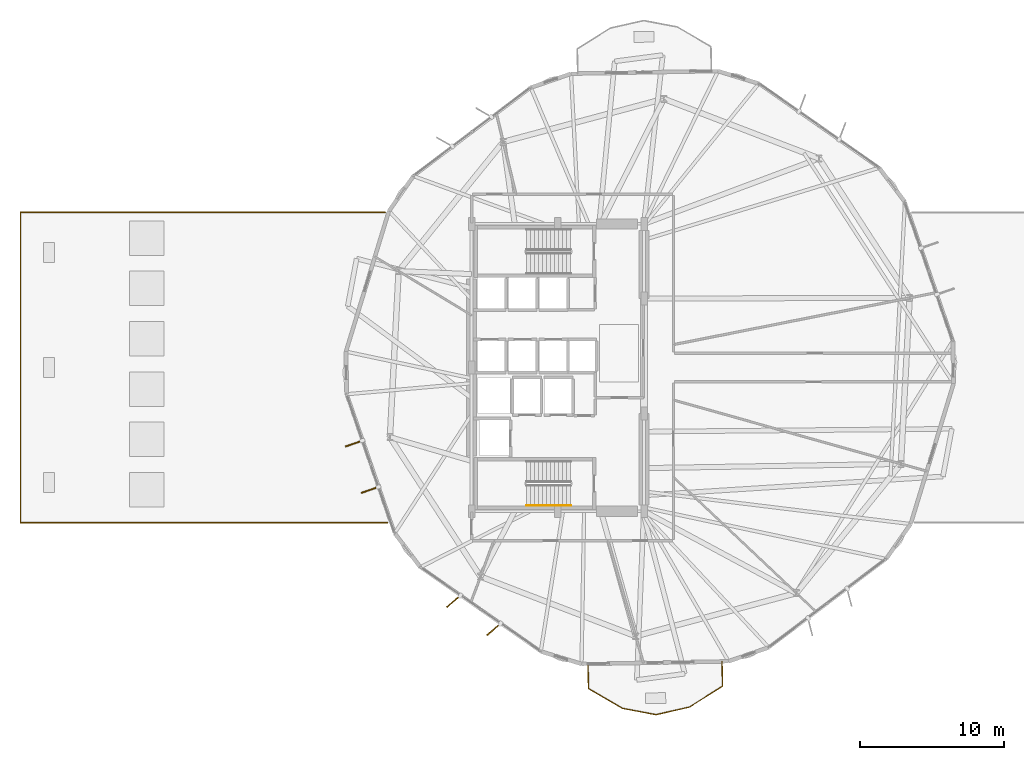
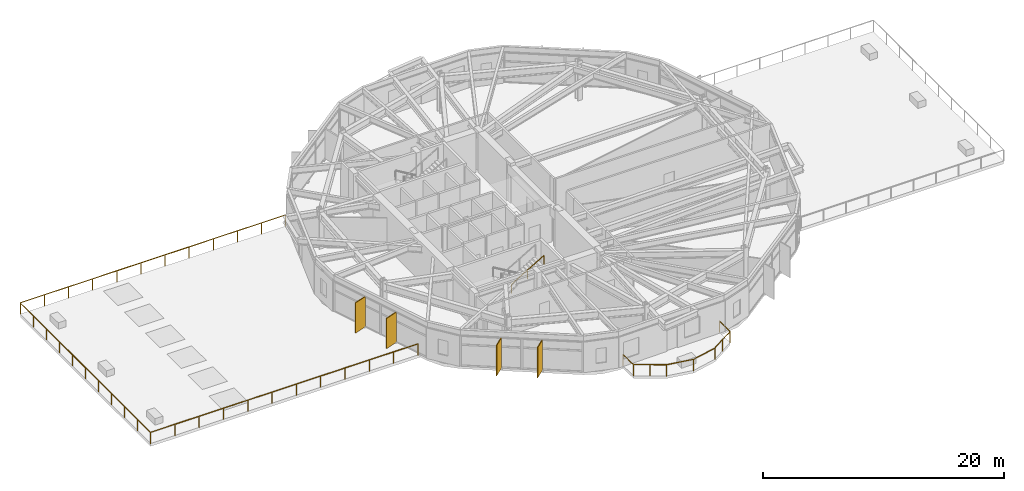
# One storey, part 21 of 23: 4 shading devices, 3 railings.
"""IFC4 building model written with IfcOpenShell, lengths in metres."""

from ifc_helpers import new_model, si_unit, direction, frame, origin, origin_2d, place, context, subcontext, project, spatial, rectangle, circle, extrude, material, layer, layer_set, type_object, element, save


model = new_model("IFC4")

# Units and contexts
model_context = context("Model", 3, precision=1e-05, world=origin(), true_north=direction((0.0, 1.0)))
body_context = subcontext(model_context, "Body", "Model", "MODEL_VIEW")
ifc_project = project(units=[si_unit("LENGTHUNIT", "METRE"), si_unit("AREAUNIT", "SQUARE_METRE"), si_unit("VOLUMEUNIT", "CUBIC_METRE"), si_unit("PLANEANGLEUNIT", "RADIAN"), si_unit("MASSUNIT", "GRAM", prefix="KILO")], contexts=[model_context])

# Site, building, storey
site_placement = place(None, origin())
site = spatial("IfcSite", under=ifc_project, at=site_placement, CompositionType="ELEMENT")
building_placement = place(site_placement, origin())
building = spatial("IfcBuilding", under=site, at=building_placement, Name="Soratama Intermodal Tower", CompositionType="ELEMENT")
storey_placement = place(building_placement, frame((0.0, 0.0, 30.60009765625)))
storey = spatial("IfcBuildingStorey", under=building, at=storey_placement, Name="L06", CompositionType="ELEMENT", Elevation=30.60009765625)

# Railings
ifc_material_1 = material(Name="Laminated glass and stainless steel balustrade", Category="steel")
railing_type_1 = type_object("IfcRailingType", Name="RL-BAL-1150", PredefinedType="BALUSTRADE", material=ifc_material_1)
railing_1_placement = place(storey_placement, frame((26.589111328125, 35.800048828125, 0.0)))
element("IfcRailing", 1, at=railing_1_placement, inside=storey, type_object=railing_type_1, Name="L06 W Podium Terrace Guard 1", PredefinedType="BALUSTRADE", context=body_context, shape_type="SweptSolid", body=[
    extrude(circle(Radius=0.02392578125, at=origin_2d()), frame((0.0, 0.0, 1.1259765625), z_axis=(-1.0, 0.0, 0.0), x_axis=(0.0, -1.0, 0.0)), (0.0, 0.0, 1.0), 25.38916015625),
    extrude(circle(Radius=0.02392578125, at=origin_2d()), frame((-25.38916015625, 0.0, 1.1259765625), z_axis=(0.0, -1.0, 0.0), x_axis=(1.0, 0.0, 0.0)), (0.0, 0.0, 1.0), 21.60009765625),
    extrude(circle(Radius=0.02392578125, at=origin_2d()), frame((-25.38916015625, -21.60009765625, 1.1259765625), z_axis=(1.0, 0.0, 0.0), x_axis=(0.0, 1.0, 0.0)), (0.0, 0.0, 1.0), 25.56103515625),
    extrude(circle(Radius=0.02099609375, at=origin_2d()), origin(), (0.0, 0.0, 1.0), 1.101806640625),
    extrude(circle(Radius=0.02099609375, at=origin_2d()), frame((-2.30810546875, 0.0, 0.0)), (0.0, 0.0, 1.0), 1.101806640625),
    extrude(circle(Radius=0.02099609375, at=origin_2d()), frame((-4.6162109375, 0.0, 0.0)), (0.0, 0.0, 1.0), 1.101806640625),
    extrude(circle(Radius=0.02099609375, at=origin_2d()), frame((-6.92431640625, 0.0, 0.0)), (0.0, 0.0, 1.0), 1.101806640625),
    extrude(circle(Radius=0.02099609375, at=origin_2d()), frame((-9.232421875, 0.0, 0.0)), (0.0, 0.0, 1.0), 1.101806640625),
    extrude(circle(Radius=0.02099609375, at=origin_2d()), frame((-11.54052734375, 0.0, 0.0)), (0.0, 0.0, 1.0), 1.101806640625),
    extrude(circle(Radius=0.02099609375, at=origin_2d()), frame((-13.8486328125, 0.0, 0.0)), (0.0, 0.0, 1.0), 1.101806640625),
    extrude(circle(Radius=0.02099609375, at=origin_2d()), frame((-16.15673828125, 0.0, 0.0)), (0.0, 0.0, 1.0), 1.101806640625),
    extrude(circle(Radius=0.02099609375, at=origin_2d()), frame((-18.46484375, 0.0, 0.0)), (0.0, 0.0, 1.0), 1.101806640625),
    extrude(circle(Radius=0.02099609375, at=origin_2d()), frame((-20.77294921875, 0.0, 0.0)), (0.0, 0.0, 1.0), 1.101806640625),
    extrude(circle(Radius=0.02099609375, at=origin_2d()), frame((-23.0810546875, 0.0, 0.0)), (0.0, 0.0, 1.0), 1.101806640625),
    extrude(circle(Radius=0.02099609375, at=origin_2d()), frame((-25.38916015625, 0.0, 0.0)), (0.0, 0.0, 1.0), 1.101806640625),
    extrude(circle(Radius=0.02099609375, at=origin_2d()), frame((-25.38916015625, -2.159912109375, 0.0)), (0.0, 0.0, 1.0), 1.101806640625),
    extrude(circle(Radius=0.02099609375, at=origin_2d()), frame((-25.38916015625, -4.320068359375, 0.0)), (0.0, 0.0, 1.0), 1.101806640625),
    extrude(circle(Radius=0.02099609375, at=origin_2d()), frame((-25.38916015625, -6.47998046875, 0.0)), (0.0, 0.0, 1.0), 1.101806640625),
    extrude(circle(Radius=0.02099609375, at=origin_2d()), frame((-25.38916015625, -8.64013671875, 0.0)), (0.0, 0.0, 1.0), 1.101806640625),
    extrude(circle(Radius=0.02099609375, at=origin_2d()), frame((-25.38916015625, -10.800048828125, 0.0)), (0.0, 0.0, 1.0), 1.101806640625),
    extrude(circle(Radius=0.02099609375, at=origin_2d()), frame((-25.38916015625, -12.9599609375, 0.0)), (0.0, 0.0, 1.0), 1.101806640625),
    extrude(circle(Radius=0.02099609375, at=origin_2d()), frame((-25.38916015625, -15.1201171875, 0.0)), (0.0, 0.0, 1.0), 1.101806640625),
    extrude(circle(Radius=0.02099609375, at=origin_2d()), frame((-25.38916015625, -17.280029296875, 0.0)), (0.0, 0.0, 1.0), 1.101806640625),
    extrude(circle(Radius=0.02099609375, at=origin_2d()), frame((-25.38916015625, -19.440185546875, 0.0)), (0.0, 0.0, 1.0), 1.101806640625),
    extrude(circle(Radius=0.02099609375, at=origin_2d()), frame((-25.38916015625, -21.60009765625, 0.0)), (0.0, 0.0, 1.0), 1.101806640625),
    extrude(circle(Radius=0.02099609375, at=origin_2d()), frame((-23.0654296875, -21.60009765625, 0.0)), (0.0, 0.0, 1.0), 1.101806640625),
    extrude(circle(Radius=0.02099609375, at=origin_2d()), frame((-20.74169921875, -21.60009765625, 0.0)), (0.0, 0.0, 1.0), 1.101806640625),
    extrude(circle(Radius=0.02099609375, at=origin_2d()), frame((-18.41796875, -21.60009765625, 0.0)), (0.0, 0.0, 1.0), 1.101806640625),
    extrude(circle(Radius=0.02099609375, at=origin_2d()), frame((-16.09423828125, -21.60009765625, 0.0)), (0.0, 0.0, 1.0), 1.101806640625),
    extrude(circle(Radius=0.02099609375, at=origin_2d()), frame((-13.7705078125, -21.60009765625, 0.0)), (0.0, 0.0, 1.0), 1.101806640625),
    extrude(circle(Radius=0.02099609375, at=origin_2d()), frame((-11.44677734375, -21.60009765625, 0.0)), (0.0, 0.0, 1.0), 1.101806640625),
    extrude(circle(Radius=0.02099609375, at=origin_2d()), frame((-9.123046875, -21.60009765625, 0.0)), (0.0, 0.0, 1.0), 1.101806640625),
    extrude(circle(Radius=0.02099609375, at=origin_2d()), frame((-6.79931640625, -21.60009765625, 0.0)), (0.0, 0.0, 1.0), 1.101806640625),
    extrude(circle(Radius=0.02099609375, at=origin_2d()), frame((-4.4755859375, -21.60009765625, 0.0)), (0.0, 0.0, 1.0), 1.101806640625),
    extrude(circle(Radius=0.02099609375, at=origin_2d()), frame((-2.15185546875, -21.60009765625, 0.0)), (0.0, 0.0, 1.0), 1.101806640625),
    extrude(circle(Radius=0.02099609375, at=origin_2d()), frame((0.171875, -21.60009765625, 0.0)), (0.0, 0.0, 1.0), 1.101806640625),
])
railing_2_placement = place(storey_placement, frame((50.030029296875, 4.54345703125, 0.0)))
element("IfcRailing", 2, at=railing_2_placement, inside=storey, type_object=railing_type_1, Name="L06 Balcony Balustrade 2", PredefinedType="BALUSTRADE", context=body_context, shape_type="SweptSolid", body=[
    extrude(circle(Radius=0.02392578125, at=origin_2d()), frame((0.0, 0.0, 1.1259765625), z_axis=(0.017884702874, -0.99984005591, 0.0), x_axis=(0.99984005591, 0.017884702874, 0.0)), (0.0, 0.0, 1.0), 1.719970703125),
    extrude(circle(Radius=0.02392578125, at=origin_2d()), frame((0.03076171875, -1.7197265625, 1.1259765625), z_axis=(-0.845586696771, -0.533838119887, 0.0), x_axis=(0.533838119887, -0.845586696771, 0.0)), (0.0, 0.0, 1.0), 2.728515625),
    extrude(circle(Radius=0.02392578125, at=origin_2d()), frame((-2.2763671875, -3.17626953125, 1.1259765625), z_axis=(-0.975308717846, -0.220845884938, 0.0), x_axis=(0.220845884938, -0.975308717846, 0.0)), (0.0, 0.0, 1.0), 2.38232421875),
    extrude(circle(Radius=0.02392578125, at=origin_2d()), frame((-4.599853515625, -3.702392578125, 1.1259765625), z_axis=(-0.982554055399, 0.185977225002, 0.0), x_axis=(-0.185977225002, -0.982554055399, 0.0)), (0.0, 0.0, 1.0), 2.382568359375),
    extrude(circle(Radius=0.02392578125, at=origin_2d()), frame((-6.94091796875, -3.25927734375, 1.1259765625), z_axis=(-0.864038423185, 0.503425866698, 0.0), x_axis=(-0.503425866698, -0.864038423185, 0.0)), (0.0, 0.0, 1.0), 2.728271484375),
    extrude(circle(Radius=0.02392578125, at=origin_2d()), frame((-9.29833984375, -1.8857421875, 1.1259765625), z_axis=(-0.017742805651, 0.999842584034, 0.0), x_axis=(-0.999842584034, -0.017742805651, 0.0)), (0.0, 0.0, 1.0), 1.719970703125),
    extrude(circle(Radius=0.02099609375, at=origin_2d()), origin(), (0.0, 0.0, 1.0), 1.101806640625),
    extrude(circle(Radius=0.02099609375, at=origin_2d()), frame((0.03076171875, -1.7197265625, 0.0)), (0.0, 0.0, 1.0), 1.101806640625),
    extrude(circle(Radius=0.02099609375, at=origin_2d()), frame((-1.122802734375, -2.447998046875, 0.0)), (0.0, 0.0, 1.0), 1.101806640625),
    extrude(circle(Radius=0.02099609375, at=origin_2d()), frame((-2.2763671875, -3.17626953125, 0.0)), (0.0, 0.0, 1.0), 1.101806640625),
    extrude(circle(Radius=0.02099609375, at=origin_2d()), frame((-4.599853515625, -3.702392578125, 0.0)), (0.0, 0.0, 1.0), 1.101806640625),
    extrude(circle(Radius=0.02099609375, at=origin_2d()), frame((-6.94091796875, -3.25927734375, 0.0)), (0.0, 0.0, 1.0), 1.101806640625),
    extrude(circle(Radius=0.02099609375, at=origin_2d()), frame((-8.11962890625, -2.572509765625, 0.0)), (0.0, 0.0, 1.0), 1.101806640625),
    extrude(circle(Radius=0.02099609375, at=origin_2d()), frame((-9.29833984375, -1.8857421875, 0.0)), (0.0, 0.0, 1.0), 1.101806640625),
    extrude(circle(Radius=0.02099609375, at=origin_2d()), frame((-9.328857421875, -0.166015625, 0.0)), (0.0, 0.0, 1.0), 1.101806640625),
])
ifc_material_2 = material(Name="Brushed stainless steel handrail", Category="steel")
railing_type_2 = type_object("IfcRailingType", Name="RL-STAIR-HAND", PredefinedType="HANDRAIL", material=ifc_material_2)
railing_3_placement = place(storey_placement, frame((36.419921875, 15.39990234375, 2.16650390625)))
element("IfcRailing", 3, at=railing_3_placement, inside=storey, type_object=railing_type_2, Name="L06 ST-1 stair handrail 2", PredefinedType="HANDRAIL", context=body_context, shape_type="SweptSolid", body=[
    extrude(circle(Radius=0.02392578125, at=origin_2d()), frame((0.0, 0.0, 0.8759765625), z_axis=(0.85927862911, 0.0, 0.511507807912), x_axis=(0.0, 1.0, 0.0)), (0.0, 0.0, 1.0), 3.58447265625),
    extrude(circle(Radius=0.02099609375, at=origin_2d()), origin(), (0.0, 0.0, 1.0), 0.851806640625),
    extrude(circle(Radius=0.02099609375, at=origin_2d()), frame((1.5400390625, 0.0, 0.916748046875)), (0.0, 0.0, 1.0), 0.851806640625),
    extrude(circle(Radius=0.02099609375, at=origin_2d()), frame((3.080078125, 0.0, 1.83349609375)), (0.0, 0.0, 1.0), 0.851806640625),
])

# Shading devices
ifc_material_3 = material(Name="Champagne anodised aluminium solar fin", Category="aluminium")
ifc_layer = layer(ifc_material_3, 0.080078125)
ifc_layer_set = layer_set([ifc_layer], Name="Champagne anodised aluminium solar fin")
shading_device_type = type_object("IfcShadingDeviceType", Name="SH-FIN-1250", PredefinedType="USERDEFINED", material=ifc_layer_set)
for number, where, z_axis, x_axis, name in (
    (4, (24.4130859375, 19.706787109375, 0.019775390625), (0.0, 0.0, 1.0), (-0.945404873273, -0.325898182861, 0.0), "L06 Solar Fin F06-1"),
    (5, (25.524658203125, 16.48291015625, 0.019775390625), (0.0, 0.0, 1.0), (-0.945404873273, -0.325898182861, 0.0), "L06 Solar Fin F06-2"),
    (6, (31.33837890625, 8.723388671875, 0.019775390625), (0.0, 0.0, 1.0), (-0.755739183826, -0.654872725061, 0.0), "L06 Solar Fin F07-1"),
    (7, (34.132568359375, 6.768310546875, 0.019775390625), (0.0, 0.0, 1.0), (-0.755739183826, -0.654872725061, 0.0), "L06 Solar Fin F07-2"),
):
    element("IfcShadingDevice", number, at=place(storey_placement, frame(where, z_axis=z_axis, x_axis=x_axis)), inside=storey, type_object=shading_device_type, Name=name, ObjectType="FIN", PredefinedType="USERDEFINED", context=body_context, shape_type="SweptSolid", body=[
        extrude(rectangle(XDim=1.25, YDim=0.080078125, at=origin_2d()), origin(), (0.0, 0.0, 1.0), 3.05908203125),
    ])

save(model, "model.ifc")
